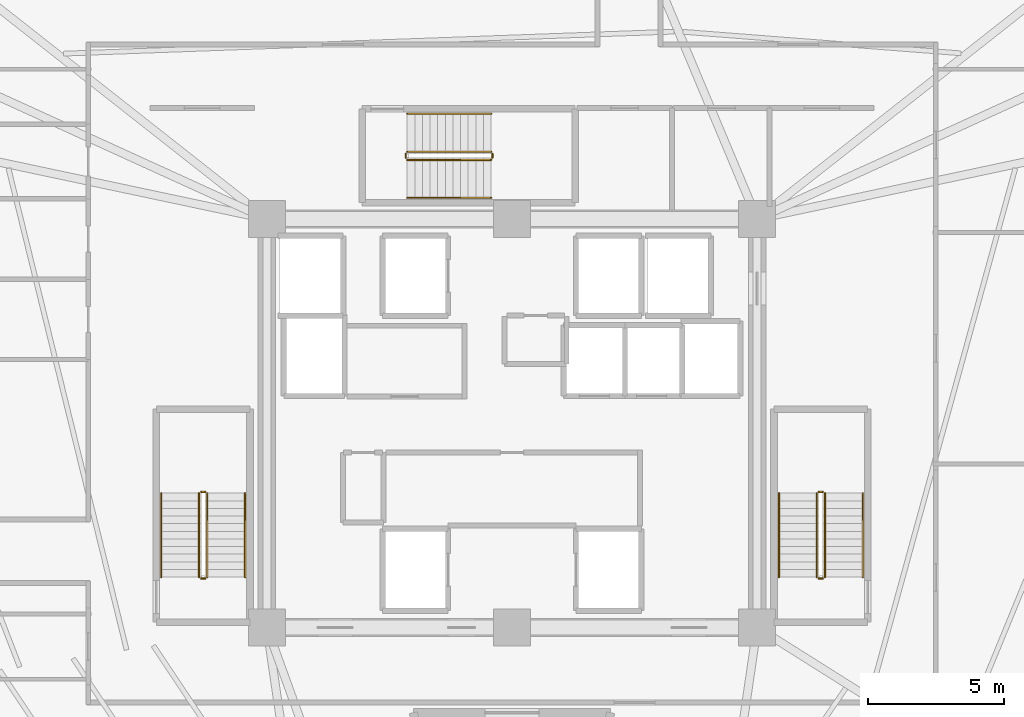
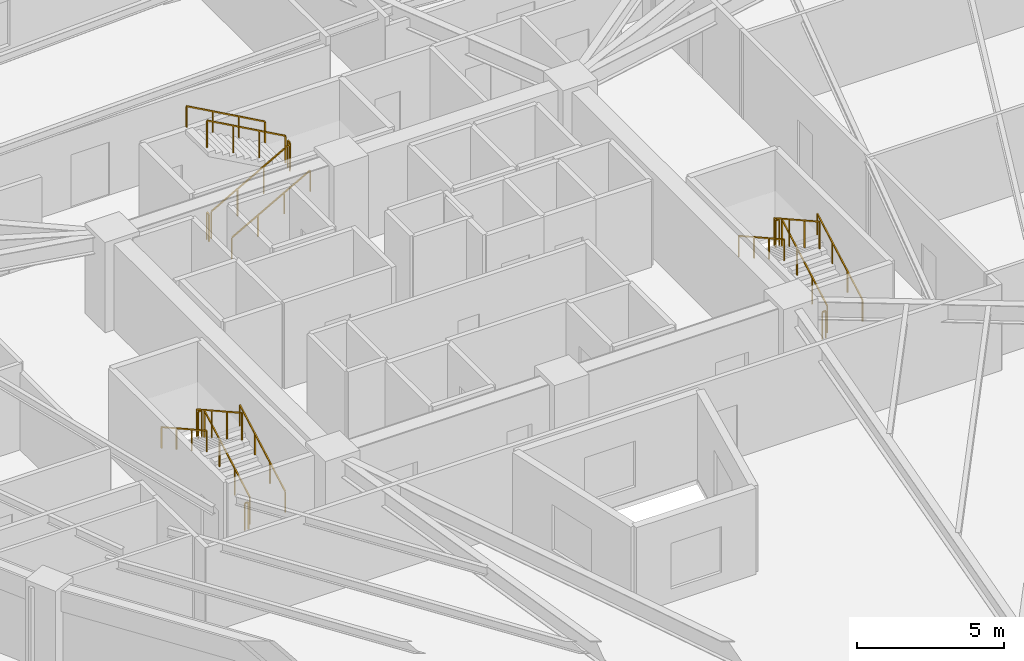
# One storey, part 8 of 8: 18 railings.
"""IFC4 building model written with IfcOpenShell, lengths in metres."""

from ifc_helpers import new_model, si_unit, direction, frame, origin, origin_2d, place, context, subcontext, project, spatial, rectangle, extrude, material, type_object, element, save


model = new_model("IFC4")

# Units and contexts
model_context = context("Model", 3, precision=1e-05, world=origin(), true_north=direction((0.0, 1.0)))
body_context = subcontext(model_context, "Body", "Model", "MODEL_VIEW")
ifc_project = project(units=[si_unit("LENGTHUNIT", "METRE"), si_unit("AREAUNIT", "SQUARE_METRE"), si_unit("VOLUMEUNIT", "CUBIC_METRE"), si_unit("PLANEANGLEUNIT", "RADIAN"), si_unit("MASSUNIT", "GRAM", prefix="KILO")], contexts=[model_context])

# Site, building, storey
site_placement = place(None, origin())
site = spatial("IfcSite", under=ifc_project, at=site_placement, CompositionType="ELEMENT")
building_placement = place(site_placement, origin())
building = spatial("IfcBuilding", under=site, at=building_placement, Name="Liaohun Quay Tower", CompositionType="ELEMENT")
storey_placement = place(building_placement, frame((0.0, 0.0, 262.5)))
storey = spatial("IfcBuildingStorey", under=building, at=storey_placement, Name="L68", CompositionType="ELEMENT", Elevation=262.5)

# Railings
ifc_material_1 = material(Name="Painted tubular steel", Category="steel")
railing_type_1 = type_object("IfcRailingType", Name="RLG-GUARD-STR", PredefinedType="GUARDRAIL", material=ifc_material_1)
railing_1_placement = place(storey_placement, frame((48.81005859375, 48.35009765625, 0.15625)))
element("IfcRailing", 1, at=railing_1_placement, inside=storey, type_object=railing_type_1, Name="L68 ST-1 stair guard 1", PredefinedType="GUARDRAIL", context=body_context, shape_type="SweptSolid", body=[
    extrude(rectangle(XDim=0.048095703125, YDim=0.048095703125, at=origin_2d()), frame((0.0, 0.0, 1.1259765625), z_axis=(0.0, 0.873225103656, 0.487317061414), x_axis=(-1.0, 0.0, 0.0)), (0.0, 0.0, 1.0), 3.52685546875),
    extrude(rectangle(XDim=0.0419921875, YDim=0.0419921875, at=origin_2d()), origin(), (0.0, 0.0, 1.0), 1.101806640625),
    extrude(rectangle(XDim=0.0419921875, YDim=0.0419921875, at=origin_2d()), frame((0.0, 1.026611328125, 0.572998046875)), (0.0, 0.0, 1.0), 1.101806640625),
    extrude(rectangle(XDim=0.0419921875, YDim=0.0419921875, at=origin_2d()), frame((0.0, 2.05322265625, 1.145751953125)), (0.0, 0.0, 1.0), 1.101806640625),
    extrude(rectangle(XDim=0.0419921875, YDim=0.0419921875, at=origin_2d()), frame((0.0, 3.079833984375, 1.71875)), (0.0, 0.0, 1.0), 1.101806640625),
])
railing_2_placement = place(storey_placement, frame((48.72998046875, 51.47998046875, 1.875)))
element("IfcRailing", 2, at=railing_2_placement, inside=storey, type_object=railing_type_1, Name="L68 ST-1 stair guard 2", PredefinedType="GUARDRAIL", context=body_context, shape_type="SweptSolid", body=[
    extrude(rectangle(XDim=0.048095703125, YDim=0.048095703125, at=origin_2d()), frame((0.0, 0.0, 1.1259765625), z_axis=(-1.0, 0.0, 0.0), x_axis=(0.0, -1.0, 0.0)), (0.0, 0.0, 1.0), 0.139892578125),
    extrude(rectangle(XDim=0.0419921875, YDim=0.0419921875, at=origin_2d()), origin(), (0.0, 0.0, 1.0), 1.101806640625),
    extrude(rectangle(XDim=0.0419921875, YDim=0.0419921875, at=origin_2d()), frame((-0.139892578125, 0.0, 0.0)), (0.0, 0.0, 1.0), 1.101806640625),
])
railing_3_placement = place(storey_placement, frame((48.510009765625, 51.429931640625, 2.03125)))
element("IfcRailing", 3, at=railing_3_placement, inside=storey, type_object=railing_type_1, Name="L68 ST-1 stair guard 3", PredefinedType="GUARDRAIL", context=body_context, shape_type="SweptSolid", body=[
    extrude(rectangle(XDim=0.048095703125, YDim=0.048095703125, at=origin_2d()), frame((0.0, 0.0, 1.1259765625), z_axis=(0.0, -0.873225103656, 0.487317061414), x_axis=(1.0, 0.0, 0.0)), (0.0, 0.0, 1.0), 3.52685546875),
    extrude(rectangle(XDim=0.0419921875, YDim=0.0419921875, at=origin_2d()), origin(), (0.0, 0.0, 1.0), 1.101806640625),
    extrude(rectangle(XDim=0.0419921875, YDim=0.0419921875, at=origin_2d()), frame((0.0, -1.026611328125, 0.572998046875)), (0.0, 0.0, 1.0), 1.101806640625),
    extrude(rectangle(XDim=0.0419921875, YDim=0.0419921875, at=origin_2d()), frame((0.0, -2.05322265625, 1.145751953125)), (0.0, 0.0, 1.0), 1.101806640625),
    extrude(rectangle(XDim=0.0419921875, YDim=0.0419921875, at=origin_2d()), frame((0.0, -3.079833984375, 1.71875)), (0.0, 0.0, 1.0), 1.101806640625),
])
railing_4_placement = place(storey_placement, frame((48.72998046875, 48.300048828125, 0.0)))
element("IfcRailing", 4, at=railing_4_placement, inside=storey, type_object=railing_type_1, Name="L68 ST-1 stair guard 4", PredefinedType="GUARDRAIL", context=body_context, shape_type="SweptSolid", body=[
    extrude(rectangle(XDim=0.048095703125, YDim=0.048095703125, at=origin_2d()), frame((0.0, 0.0, 1.1259765625), z_axis=(-1.0, 0.0, 0.0), x_axis=(0.0, -1.0, 0.0)), (0.0, 0.0, 1.0), 0.139892578125),
    extrude(rectangle(XDim=0.0419921875, YDim=0.0419921875, at=origin_2d()), origin(), (0.0, 0.0, 1.0), 1.101806640625),
    extrude(rectangle(XDim=0.0419921875, YDim=0.0419921875, at=origin_2d()), frame((-0.139892578125, 0.0, 0.0)), (0.0, 0.0, 1.0), 1.101806640625),
])
railing_5_placement = place(storey_placement, frame((71.489990234375, 48.35009765625, 0.15625)))
element("IfcRailing", 5, at=railing_5_placement, inside=storey, type_object=railing_type_1, Name="L68 ST-2 stair guard 1", PredefinedType="GUARDRAIL", context=body_context, shape_type="SweptSolid", body=[
    extrude(rectangle(XDim=0.048095703125, YDim=0.048095703125, at=origin_2d()), frame((0.0, 0.0, 1.1259765625), z_axis=(0.0, 0.873225103656, 0.487317061414), x_axis=(-1.0, 0.0, 0.0)), (0.0, 0.0, 1.0), 3.52685546875),
    extrude(rectangle(XDim=0.0419921875, YDim=0.0419921875, at=origin_2d()), origin(), (0.0, 0.0, 1.0), 1.101806640625),
    extrude(rectangle(XDim=0.0419921875, YDim=0.0419921875, at=origin_2d()), frame((0.0, 1.026611328125, 0.572998046875)), (0.0, 0.0, 1.0), 1.101806640625),
    extrude(rectangle(XDim=0.0419921875, YDim=0.0419921875, at=origin_2d()), frame((0.0, 2.05322265625, 1.145751953125)), (0.0, 0.0, 1.0), 1.101806640625),
    extrude(rectangle(XDim=0.0419921875, YDim=0.0419921875, at=origin_2d()), frame((0.0, 3.079833984375, 1.71875)), (0.0, 0.0, 1.0), 1.101806640625),
])
railing_6_placement = place(storey_placement, frame((71.409912109375, 51.47998046875, 1.875)))
element("IfcRailing", 6, at=railing_6_placement, inside=storey, type_object=railing_type_1, Name="L68 ST-2 stair guard 2", PredefinedType="GUARDRAIL", context=body_context, shape_type="SweptSolid", body=[
    extrude(rectangle(XDim=0.048095703125, YDim=0.048095703125, at=origin_2d()), frame((0.0, 0.0, 1.1259765625), z_axis=(-1.0, 0.0, 0.0), x_axis=(0.0, -1.0, 0.0)), (0.0, 0.0, 1.0), 0.139892578125),
    extrude(rectangle(XDim=0.0419921875, YDim=0.0419921875, at=origin_2d()), origin(), (0.0, 0.0, 1.0), 1.101806640625),
    extrude(rectangle(XDim=0.0419921875, YDim=0.0419921875, at=origin_2d()), frame((-0.139892578125, 0.0, 0.0)), (0.0, 0.0, 1.0), 1.101806640625),
])
railing_7_placement = place(storey_placement, frame((71.18994140625, 51.429931640625, 2.03125)))
element("IfcRailing", 7, at=railing_7_placement, inside=storey, type_object=railing_type_1, Name="L68 ST-2 stair guard 3", PredefinedType="GUARDRAIL", context=body_context, shape_type="SweptSolid", body=[
    extrude(rectangle(XDim=0.048095703125, YDim=0.048095703125, at=origin_2d()), frame((0.0, 0.0, 1.1259765625), z_axis=(0.0, -0.873225103656, 0.487317061414), x_axis=(1.0, 0.0, 0.0)), (0.0, 0.0, 1.0), 3.52685546875),
    extrude(rectangle(XDim=0.0419921875, YDim=0.0419921875, at=origin_2d()), origin(), (0.0, 0.0, 1.0), 1.101806640625),
    extrude(rectangle(XDim=0.0419921875, YDim=0.0419921875, at=origin_2d()), frame((0.0, -1.026611328125, 0.572998046875)), (0.0, 0.0, 1.0), 1.101806640625),
    extrude(rectangle(XDim=0.0419921875, YDim=0.0419921875, at=origin_2d()), frame((0.0, -2.05322265625, 1.145751953125)), (0.0, 0.0, 1.0), 1.101806640625),
    extrude(rectangle(XDim=0.0419921875, YDim=0.0419921875, at=origin_2d()), frame((0.0, -3.079833984375, 1.71875)), (0.0, 0.0, 1.0), 1.101806640625),
])
railing_8_placement = place(storey_placement, frame((71.409912109375, 48.300048828125, 0.0)))
element("IfcRailing", 8, at=railing_8_placement, inside=storey, type_object=railing_type_1, Name="L68 ST-2 stair guard 4", PredefinedType="GUARDRAIL", context=body_context, shape_type="SweptSolid", body=[
    extrude(rectangle(XDim=0.048095703125, YDim=0.048095703125, at=origin_2d()), frame((0.0, 0.0, 1.1259765625), z_axis=(-1.0, 0.0, 0.0), x_axis=(0.0, -1.0, 0.0)), (0.0, 0.0, 1.0), 0.139892578125),
    extrude(rectangle(XDim=0.0419921875, YDim=0.0419921875, at=origin_2d()), origin(), (0.0, 0.0, 1.0), 1.101806640625),
    extrude(rectangle(XDim=0.0419921875, YDim=0.0419921875, at=origin_2d()), frame((-0.139892578125, 0.0, 0.0)), (0.0, 0.0, 1.0), 1.101806640625),
])
railing_9_placement = place(storey_placement, frame((56.14990234375, 63.669921875, 0.15625)))
element("IfcRailing", 9, at=railing_9_placement, inside=storey, type_object=railing_type_1, Name="L68 ST-3 stair guard 1", PredefinedType="GUARDRAIL", context=body_context, shape_type="SweptSolid", body=[
    extrude(rectangle(XDim=0.048095703125, YDim=0.048095703125, at=origin_2d()), frame((0.0, 0.0, 1.1259765625), z_axis=(0.873241540666, 0.0, 0.487287606713), x_axis=(0.0, 1.0, 0.0)), (0.0, 0.0, 1.0), 3.527099609375),
    extrude(rectangle(XDim=0.0419921875, YDim=0.0419921875, at=origin_2d()), origin(), (0.0, 0.0, 1.0), 1.101806640625),
    extrude(rectangle(XDim=0.0419921875, YDim=0.0419921875, at=origin_2d()), frame((1.026611328125, 0.0, 0.572998046875)), (0.0, 0.0, 1.0), 1.101806640625),
    extrude(rectangle(XDim=0.0419921875, YDim=0.0419921875, at=origin_2d()), frame((2.053466796875, 0.0, 1.145751953125)), (0.0, 0.0, 1.0), 1.101806640625),
    extrude(rectangle(XDim=0.0419921875, YDim=0.0419921875, at=origin_2d()), frame((3.080078125, 0.0, 1.71875)), (0.0, 0.0, 1.0), 1.101806640625),
])
railing_10_placement = place(storey_placement, frame((59.280029296875, 63.75, 1.875)))
element("IfcRailing", 10, at=railing_10_placement, inside=storey, type_object=railing_type_1, Name="L68 ST-3 stair guard 2", PredefinedType="GUARDRAIL", context=body_context, shape_type="SweptSolid", body=[
    extrude(rectangle(XDim=0.048095703125, YDim=0.048095703125, at=origin_2d()), frame((0.0, 0.0, 1.1259765625), z_axis=(0.0, 1.0, 0.0), x_axis=(-1.0, 0.0, 0.0)), (0.0, 0.0, 1.0), 0.139892578125),
    extrude(rectangle(XDim=0.0419921875, YDim=0.0419921875, at=origin_2d()), origin(), (0.0, 0.0, 1.0), 1.101806640625),
    extrude(rectangle(XDim=0.0419921875, YDim=0.0419921875, at=origin_2d()), frame((0.0, 0.139892578125, 0.0)), (0.0, 0.0, 1.0), 1.101806640625),
])
railing_11_placement = place(storey_placement, frame((59.22998046875, 63.969970703125, 2.03125)))
element("IfcRailing", 11, at=railing_11_placement, inside=storey, type_object=railing_type_1, Name="L68 ST-3 stair guard 3", PredefinedType="GUARDRAIL", context=body_context, shape_type="SweptSolid", body=[
    extrude(rectangle(XDim=0.048095703125, YDim=0.048095703125, at=origin_2d()), frame((0.0, 0.0, 1.1259765625), z_axis=(-0.873241540666, 0.0, 0.487287606713), x_axis=(0.0, -1.0, 0.0)), (0.0, 0.0, 1.0), 3.527099609375),
    extrude(rectangle(XDim=0.0419921875, YDim=0.0419921875, at=origin_2d()), origin(), (0.0, 0.0, 1.0), 1.101806640625),
    extrude(rectangle(XDim=0.0419921875, YDim=0.0419921875, at=origin_2d()), frame((-1.026611328125, 0.0, 0.572998046875)), (0.0, 0.0, 1.0), 1.101806640625),
    extrude(rectangle(XDim=0.0419921875, YDim=0.0419921875, at=origin_2d()), frame((-2.053466796875, 0.0, 1.145751953125)), (0.0, 0.0, 1.0), 1.101806640625),
    extrude(rectangle(XDim=0.0419921875, YDim=0.0419921875, at=origin_2d()), frame((-3.080078125, 0.0, 1.71875)), (0.0, 0.0, 1.0), 1.101806640625),
])
railing_12_placement = place(storey_placement, frame((56.10009765625, 63.75, 0.0)))
element("IfcRailing", 12, at=railing_12_placement, inside=storey, type_object=railing_type_1, Name="L68 ST-3 stair guard 4", PredefinedType="GUARDRAIL", context=body_context, shape_type="SweptSolid", body=[
    extrude(rectangle(XDim=0.048095703125, YDim=0.048095703125, at=origin_2d()), frame((0.0, 0.0, 1.1259765625), z_axis=(0.0, 1.0, 0.0), x_axis=(-1.0, 0.0, 0.0)), (0.0, 0.0, 1.0), 0.139892578125),
    extrude(rectangle(XDim=0.0419921875, YDim=0.0419921875, at=origin_2d()), origin(), (0.0, 0.0, 1.0), 1.101806640625),
    extrude(rectangle(XDim=0.0419921875, YDim=0.0419921875, at=origin_2d()), frame((0.0, 0.139892578125, 0.0)), (0.0, 0.0, 1.0), 1.101806640625),
])
ifc_material_2 = material(Name="Brushed stainless steel", Category="steel")
railing_type_2 = type_object("IfcRailingType", Name="RLG-HND-STR", PredefinedType="HANDRAIL", material=ifc_material_2)
railing_13_placement = place(storey_placement, frame((50.199951171875, 48.35009765625, 0.15625)))
element("IfcRailing", 13, at=railing_13_placement, inside=storey, type_object=railing_type_2, Name="L68 ST-1 stair handrail 1", PredefinedType="HANDRAIL", context=body_context, shape_type="SweptSolid", body=[
    extrude(rectangle(XDim=0.048095703125, YDim=0.048095703125, at=origin_2d()), frame((0.0, 0.0, 0.8759765625), z_axis=(0.0, 0.873225103656, 0.487317061414), x_axis=(-1.0, 0.0, 0.0)), (0.0, 0.0, 1.0), 3.52685546875),
    extrude(rectangle(XDim=0.0419921875, YDim=0.0419921875, at=origin_2d()), origin(), (0.0, 0.0, 1.0), 0.851806640625),
    extrude(rectangle(XDim=0.0419921875, YDim=0.0419921875, at=origin_2d()), frame((0.0, 1.026611328125, 0.572998046875)), (0.0, 0.0, 1.0), 0.851806640625),
    extrude(rectangle(XDim=0.0419921875, YDim=0.0419921875, at=origin_2d()), frame((0.0, 2.05322265625, 1.145751953125)), (0.0, 0.0, 1.0), 0.851806640625),
    extrude(rectangle(XDim=0.0419921875, YDim=0.0419921875, at=origin_2d()), frame((0.0, 3.079833984375, 1.71875)), (0.0, 0.0, 1.0), 0.851806640625),
])
railing_14_placement = place(storey_placement, frame((47.1201171875, 51.429931640625, 2.03125)))
element("IfcRailing", 14, at=railing_14_placement, inside=storey, type_object=railing_type_2, Name="L68 ST-1 stair handrail 2", PredefinedType="HANDRAIL", context=body_context, shape_type="SweptSolid", body=[
    extrude(rectangle(XDim=0.048095703125, YDim=0.048095703125, at=origin_2d()), frame((0.0, 0.0, 0.8759765625), z_axis=(0.0, -0.873225103656, 0.487317061414), x_axis=(1.0, 0.0, 0.0)), (0.0, 0.0, 1.0), 3.52685546875),
    extrude(rectangle(XDim=0.0419921875, YDim=0.0419921875, at=origin_2d()), origin(), (0.0, 0.0, 1.0), 0.851806640625),
    extrude(rectangle(XDim=0.0419921875, YDim=0.0419921875, at=origin_2d()), frame((0.0, -1.026611328125, 0.572998046875)), (0.0, 0.0, 1.0), 0.851806640625),
    extrude(rectangle(XDim=0.0419921875, YDim=0.0419921875, at=origin_2d()), frame((0.0, -2.05322265625, 1.145751953125)), (0.0, 0.0, 1.0), 0.851806640625),
    extrude(rectangle(XDim=0.0419921875, YDim=0.0419921875, at=origin_2d()), frame((0.0, -3.079833984375, 1.71875)), (0.0, 0.0, 1.0), 0.851806640625),
])
railing_15_placement = place(storey_placement, frame((72.8798828125, 48.35009765625, 0.15625)))
element("IfcRailing", 15, at=railing_15_placement, inside=storey, type_object=railing_type_2, Name="L68 ST-2 stair handrail 1", PredefinedType="HANDRAIL", context=body_context, shape_type="SweptSolid", body=[
    extrude(rectangle(XDim=0.048095703125, YDim=0.048095703125, at=origin_2d()), frame((0.0, 0.0, 0.8759765625), z_axis=(0.0, 0.873225103656, 0.487317061414), x_axis=(-1.0, 0.0, 0.0)), (0.0, 0.0, 1.0), 3.52685546875),
    extrude(rectangle(XDim=0.0419921875, YDim=0.0419921875, at=origin_2d()), origin(), (0.0, 0.0, 1.0), 0.851806640625),
    extrude(rectangle(XDim=0.0419921875, YDim=0.0419921875, at=origin_2d()), frame((0.0, 1.026611328125, 0.572998046875)), (0.0, 0.0, 1.0), 0.851806640625),
    extrude(rectangle(XDim=0.0419921875, YDim=0.0419921875, at=origin_2d()), frame((0.0, 2.05322265625, 1.145751953125)), (0.0, 0.0, 1.0), 0.851806640625),
    extrude(rectangle(XDim=0.0419921875, YDim=0.0419921875, at=origin_2d()), frame((0.0, 3.079833984375, 1.71875)), (0.0, 0.0, 1.0), 0.851806640625),
])
railing_16_placement = place(storey_placement, frame((69.800048828125, 51.429931640625, 2.03125)))
element("IfcRailing", 16, at=railing_16_placement, inside=storey, type_object=railing_type_2, Name="L68 ST-2 stair handrail 2", PredefinedType="HANDRAIL", context=body_context, shape_type="SweptSolid", body=[
    extrude(rectangle(XDim=0.048095703125, YDim=0.048095703125, at=origin_2d()), frame((0.0, 0.0, 0.8759765625), z_axis=(0.0, -0.873225103656, 0.487317061414), x_axis=(1.0, 0.0, 0.0)), (0.0, 0.0, 1.0), 3.52685546875),
    extrude(rectangle(XDim=0.0419921875, YDim=0.0419921875, at=origin_2d()), origin(), (0.0, 0.0, 1.0), 0.851806640625),
    extrude(rectangle(XDim=0.0419921875, YDim=0.0419921875, at=origin_2d()), frame((0.0, -1.026611328125, 0.572998046875)), (0.0, 0.0, 1.0), 0.851806640625),
    extrude(rectangle(XDim=0.0419921875, YDim=0.0419921875, at=origin_2d()), frame((0.0, -2.05322265625, 1.145751953125)), (0.0, 0.0, 1.0), 0.851806640625),
    extrude(rectangle(XDim=0.0419921875, YDim=0.0419921875, at=origin_2d()), frame((0.0, -3.079833984375, 1.71875)), (0.0, 0.0, 1.0), 0.851806640625),
])
railing_17_placement = place(storey_placement, frame((56.14990234375, 62.280029296875, 0.15625)))
element("IfcRailing", 17, at=railing_17_placement, inside=storey, type_object=railing_type_2, Name="L68 ST-3 stair handrail 1", PredefinedType="HANDRAIL", context=body_context, shape_type="SweptSolid", body=[
    extrude(rectangle(XDim=0.048095703125, YDim=0.048095703125, at=origin_2d()), frame((0.0, 0.0, 0.8759765625), z_axis=(0.873241540666, 0.0, 0.487287606713), x_axis=(0.0, 1.0, 0.0)), (0.0, 0.0, 1.0), 3.527099609375),
    extrude(rectangle(XDim=0.0419921875, YDim=0.0419921875, at=origin_2d()), origin(), (0.0, 0.0, 1.0), 0.851806640625),
    extrude(rectangle(XDim=0.0419921875, YDim=0.0419921875, at=origin_2d()), frame((1.026611328125, 0.0, 0.572998046875)), (0.0, 0.0, 1.0), 0.851806640625),
    extrude(rectangle(XDim=0.0419921875, YDim=0.0419921875, at=origin_2d()), frame((2.053466796875, 0.0, 1.145751953125)), (0.0, 0.0, 1.0), 0.851806640625),
    extrude(rectangle(XDim=0.0419921875, YDim=0.0419921875, at=origin_2d()), frame((3.080078125, 0.0, 1.71875)), (0.0, 0.0, 1.0), 0.851806640625),
])
railing_18_placement = place(storey_placement, frame((59.22998046875, 65.360107421875, 2.03125)))
element("IfcRailing", 18, at=railing_18_placement, inside=storey, type_object=railing_type_2, Name="L68 ST-3 stair handrail 2", PredefinedType="HANDRAIL", context=body_context, shape_type="SweptSolid", body=[
    extrude(rectangle(XDim=0.048095703125, YDim=0.048095703125, at=origin_2d()), frame((0.0, 0.0, 0.8759765625), z_axis=(-0.873241540666, 0.0, 0.487287606713), x_axis=(0.0, -1.0, 0.0)), (0.0, 0.0, 1.0), 3.527099609375),
    extrude(rectangle(XDim=0.0419921875, YDim=0.0419921875, at=origin_2d()), origin(), (0.0, 0.0, 1.0), 0.851806640625),
    extrude(rectangle(XDim=0.0419921875, YDim=0.0419921875, at=origin_2d()), frame((-1.026611328125, 0.0, 0.572998046875)), (0.0, 0.0, 1.0), 0.851806640625),
    extrude(rectangle(XDim=0.0419921875, YDim=0.0419921875, at=origin_2d()), frame((-2.053466796875, 0.0, 1.145751953125)), (0.0, 0.0, 1.0), 0.851806640625),
    extrude(rectangle(XDim=0.0419921875, YDim=0.0419921875, at=origin_2d()), frame((-3.080078125, 0.0, 1.71875)), (0.0, 0.0, 1.0), 0.851806640625),
])

save(model, "model.ifc")
